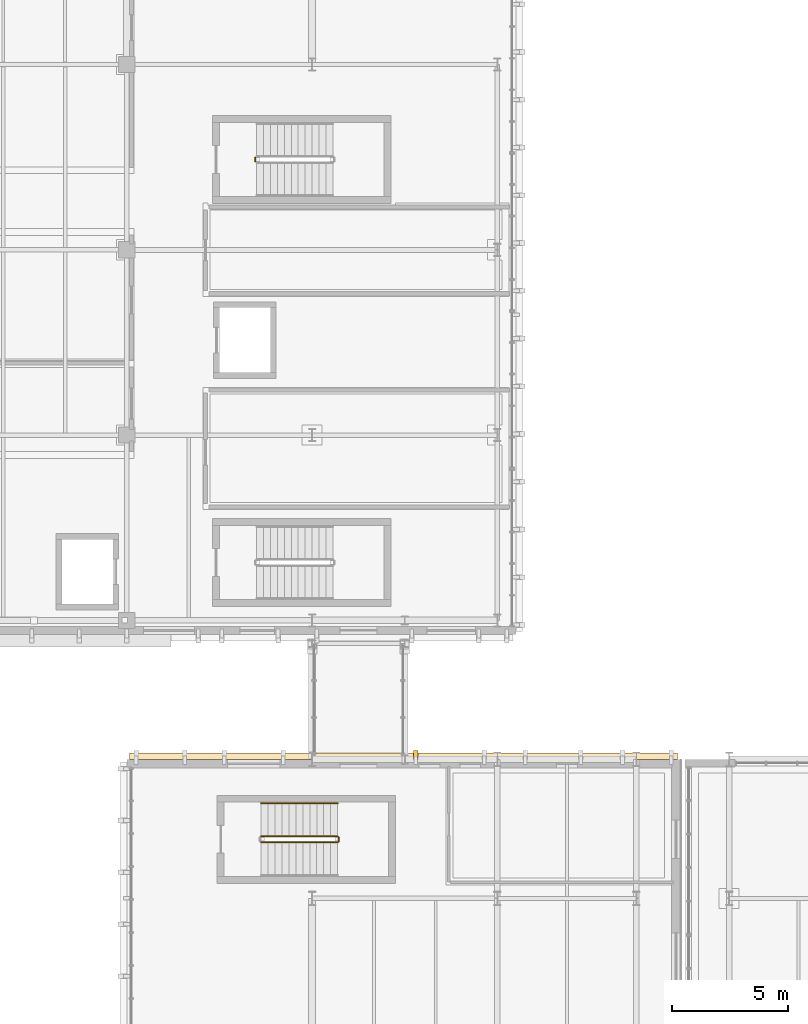
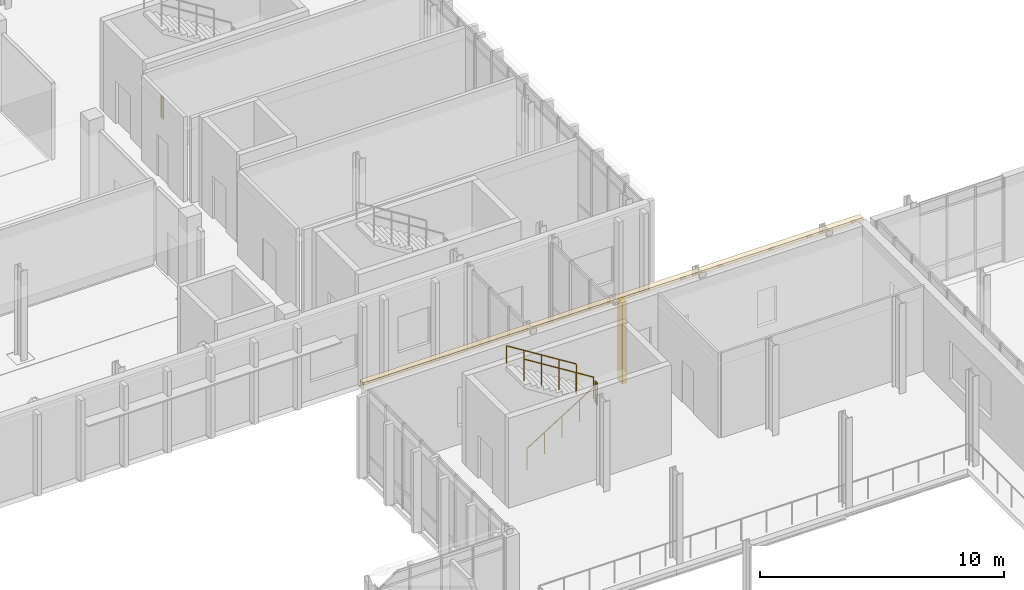
# One storey, part 87 of 100: 5 railings, 2 coverings.
"""IFC4 building model written with IfcOpenShell, lengths in metres."""

from ifc_helpers import new_model, si_unit, direction, frame, origin, origin_2d, place, context, subcontext, project, spatial, rectangle, circle, extrude, material, layer, layer_set, type_object, element, save


model = new_model("IFC4")

# Units and contexts
model_context = context("Model", 3, precision=1e-05, world=origin(), true_north=direction((0.0, 1.0)))
body_context = subcontext(model_context, "Body", "Model", "MODEL_VIEW")
ifc_project = project(units=[si_unit("LENGTHUNIT", "METRE"), si_unit("AREAUNIT", "SQUARE_METRE"), si_unit("VOLUMEUNIT", "CUBIC_METRE"), si_unit("PLANEANGLEUNIT", "RADIAN"), si_unit("MASSUNIT", "GRAM", prefix="KILO")], contexts=[model_context])

# Site, building, storey
site_placement = place(None, origin())
site = spatial("IfcSite", under=ifc_project, at=site_placement, CompositionType="ELEMENT")
building_placement = place(site_placement, origin())
building = spatial("IfcBuilding", under=site, at=building_placement, Name="Cymarion Research Institute", CompositionType="ELEMENT")
storey_placement = place(building_placement, frame((0.0, 0.0, 4.800048828125)))
storey = spatial("IfcBuildingStorey", under=building, at=storey_placement, Name="L01", CompositionType="ELEMENT", Elevation=4.800048828125)

# Railings
ifc_material_1 = material(Name="Steel S355", Category="steel")
railing_type_1 = type_object("IfcRailingType", Name="PAINTED STEEL STAIR GUARDRAIL GR1 1100MM", PredefinedType="GUARDRAIL", material=ifc_material_1)
railing_1_placement = place(storey_placement, frame((36.39990234375, 37.919921875, 0.1875)))
element("IfcRailing", 1, at=railing_1_placement, inside=storey, type_object=railing_type_1, Name="L01 ST6 stair guard 1", PredefinedType="GUARDRAIL", context=body_context, shape_type="SweptSolid", body=[
    extrude(circle(Radius=0.02392578125, at=origin_2d()), frame((0.0, 0.0, 1.076171875), z_axis=(0.848001828478, 0.0, 0.529993300805), x_axis=(0.0, 1.0, 0.0)), (0.0, 0.0, 1.0), 3.8916015625),
    extrude(circle(Radius=0.02099609375, at=origin_2d()), origin(), (0.0, 0.0, 1.0), 1.052001953125),
    extrude(circle(Radius=0.02099609375, at=origin_2d()), frame((0.824951171875, 0.0, 0.515625)), (0.0, 0.0, 1.0), 1.052001953125),
    extrude(circle(Radius=0.02099609375, at=origin_2d()), frame((1.64990234375, 0.0, 1.03125)), (0.0, 0.0, 1.0), 1.052001953125),
    extrude(circle(Radius=0.02099609375, at=origin_2d()), frame((2.47509765625, 0.0, 1.546875)), (0.0, 0.0, 1.0), 1.052001953125),
    extrude(circle(Radius=0.02099609375, at=origin_2d()), frame((3.300048828125, 0.0, 2.0625)), (0.0, 0.0, 1.0), 1.052001953125),
])
railing_2_placement = place(storey_placement, frame((39.75, 37.969970703125, 2.25)))
element("IfcRailing", 2, at=railing_2_placement, inside=storey, type_object=railing_type_1, Name="L01 ST6 stair guard 2", PredefinedType="GUARDRAIL", context=body_context, shape_type="SweptSolid", body=[
    extrude(circle(Radius=0.02392578125, at=origin_2d()), frame((0.0, 0.0, 1.076171875), z_axis=(0.0, 1.0, 0.0), x_axis=(-1.0, 0.0, 0.0)), (0.0, 0.0, 1.0), 0.159912109375),
    extrude(circle(Radius=0.02099609375, at=origin_2d()), origin(), (0.0, 0.0, 1.0), 1.052001953125),
    extrude(circle(Radius=0.02099609375, at=origin_2d()), frame((0.0, 0.159912109375, 0.0)), (0.0, 0.0, 1.0), 1.052001953125),
])
railing_3_placement = place(storey_placement, frame((39.699951171875, 38.179931640625, 2.4375)))
element("IfcRailing", 3, at=railing_3_placement, inside=storey, type_object=railing_type_1, Name="L01 ST6 stair guard 3", PredefinedType="GUARDRAIL", context=body_context, shape_type="SweptSolid", body=[
    extrude(circle(Radius=0.02392578125, at=origin_2d()), frame((0.0, 0.0, 1.076171875), z_axis=(-0.848001828478, 0.0, 0.529993300805), x_axis=(0.0, -1.0, 0.0)), (0.0, 0.0, 1.0), 3.8916015625),
    extrude(circle(Radius=0.02099609375, at=origin_2d()), origin(), (0.0, 0.0, 1.0), 1.052001953125),
    extrude(circle(Radius=0.02099609375, at=origin_2d()), frame((-0.824951171875, 0.0, 0.515625)), (0.0, 0.0, 1.0), 1.052001953125),
    extrude(circle(Radius=0.02099609375, at=origin_2d()), frame((-1.64990234375, 0.0, 1.03125)), (0.0, 0.0, 1.0), 1.052001953125),
    extrude(circle(Radius=0.02099609375, at=origin_2d()), frame((-2.47509765625, 0.0, 1.546875)), (0.0, 0.0, 1.0), 1.052001953125),
    extrude(circle(Radius=0.02099609375, at=origin_2d()), frame((-3.300048828125, 0.0, 2.0625)), (0.0, 0.0, 1.0), 1.052001953125),
])
railing_4_placement = place(storey_placement, frame((36.14990234375, 67.320068359375, 0.0)))
element("IfcRailing", 4, at=railing_4_placement, inside=storey, type_object=railing_type_1, Name="L01 ST8 stair guard 4", PredefinedType="GUARDRAIL", context=body_context, shape_type="SweptSolid", body=[
    extrude(circle(Radius=0.02392578125, at=origin_2d()), frame((0.0, 0.0, 1.076171875), z_axis=(0.0, 1.0, 0.0), x_axis=(-1.0, 0.0, 0.0)), (0.0, 0.0, 1.0), 0.159912109375),
    extrude(circle(Radius=0.02099609375, at=origin_2d()), origin(), (0.0, 0.0, 1.0), 1.052001953125),
    extrude(circle(Radius=0.02099609375, at=origin_2d()), frame((0.0, 0.159912109375, 0.0)), (0.0, 0.0, 1.0), 1.052001953125),
])

# Coverings
ifc_material_2 = material(Name="Precast concrete C45/55 architectural white", Category="concrete")
ifc_layer_1 = layer(ifc_material_2, 0.260009765625)
ifc_layer_set_1 = layer_set([ifc_layer_1], Name="Precast concrete C45/55 architectural white")
covering_type_1 = type_object("IfcCoveringType", Name="SCULPTURAL WHITE PRECAST CONCRETE SPANDREL BROW BAND RIB2 280MM", PredefinedType="CLADDING", material=ifc_layer_set_1)
covering_1_placement = place(storey_placement, frame((42.550048828125, 41.64208984375, 4.08984375), z_axis=(0.0, 0.0, 1.0), x_axis=(0.0, 1.0, 0.0)))
element("IfcCovering", 5, at=covering_1_placement, inside=storey, type_object=covering_type_1, Name="L01 V3 precast spandrel brow band RIB2 #244", PredefinedType="CLADDING", context=body_context, shape_type="SweptSolid", body=[
    extrude(rectangle(XDim=0.280029296875, YDim=23.659912109375, at=origin_2d()), origin(), (0.0, 0.0, 1.0), 0.260009765625),
])
ifc_layer_2 = layer(ifc_material_2, 0.199951171875)
ifc_layer_set_2 = layer_set([ifc_layer_2], Name="Precast concrete C45/55 architectural white")
covering_type_2 = type_object("IfcCoveringType", Name="SCULPTURAL WHITE PRECAST CONCRETE VERTICAL RIB RIB1 380X200", PredefinedType="CLADDING", material=ifc_layer_set_2)
covering_2_placement = place(storey_placement, frame((43.070068359375, 41.69189453125, 0.009765625), z_axis=(0.0, 0.0, 1.0), x_axis=(0.0, 1.0, 0.0)))
element("IfcCovering", 6, at=covering_2_placement, inside=storey, type_object=covering_type_2, Name="L01 V3 sculptural precast vertical rib RIB1 #250", PredefinedType="CLADDING", context=body_context, shape_type="SweptSolid", body=[
    extrude(rectangle(XDim=0.3798828125, YDim=0.199951171875, at=origin_2d()), origin(), (0.0, 0.0, 1.0), 4.074951171875),
])

# Railing
railing_type_2 = type_object("IfcRailingType", Name="STAINLESS STEEL STAIR HANDRAIL HR1 900MM", PredefinedType="HANDRAIL", material=ifc_material_1)
railing_5_placement = place(storey_placement, frame((39.699951171875, 39.60009765625, 2.4375)))
element("IfcRailing", 7, at=railing_5_placement, inside=storey, type_object=railing_type_2, Name="L01 ST6 stair handrail 2", PredefinedType="HANDRAIL", context=body_context, shape_type="SweptSolid", body=[
    extrude(circle(Radius=0.02392578125, at=origin_2d()), frame((0.0, 0.0, 0.8759765625), z_axis=(-0.848001828478, 0.0, 0.529993300805), x_axis=(0.0, -1.0, 0.0)), (0.0, 0.0, 1.0), 3.8916015625),
    extrude(circle(Radius=0.02099609375, at=origin_2d()), origin(), (0.0, 0.0, 1.0), 0.851806640625),
    extrude(circle(Radius=0.02099609375, at=origin_2d()), frame((-0.824951171875, 0.0, 0.515625)), (0.0, 0.0, 1.0), 0.851806640625),
    extrude(circle(Radius=0.02099609375, at=origin_2d()), frame((-1.64990234375, 0.0, 1.03125)), (0.0, 0.0, 1.0), 0.851806640625),
    extrude(circle(Radius=0.02099609375, at=origin_2d()), frame((-2.47509765625, 0.0, 1.546875)), (0.0, 0.0, 1.0), 0.851806640625),
    extrude(circle(Radius=0.02099609375, at=origin_2d()), frame((-3.300048828125, 0.0, 2.0625)), (0.0, 0.0, 1.0), 0.851806640625),
])

save(model, "model.ifc")
